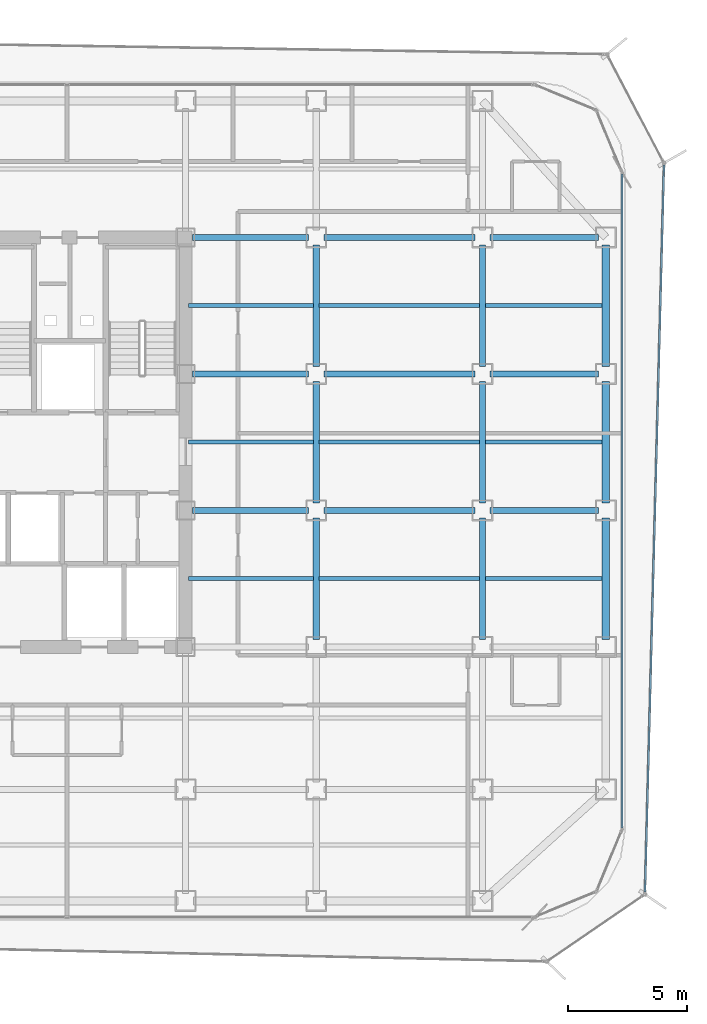
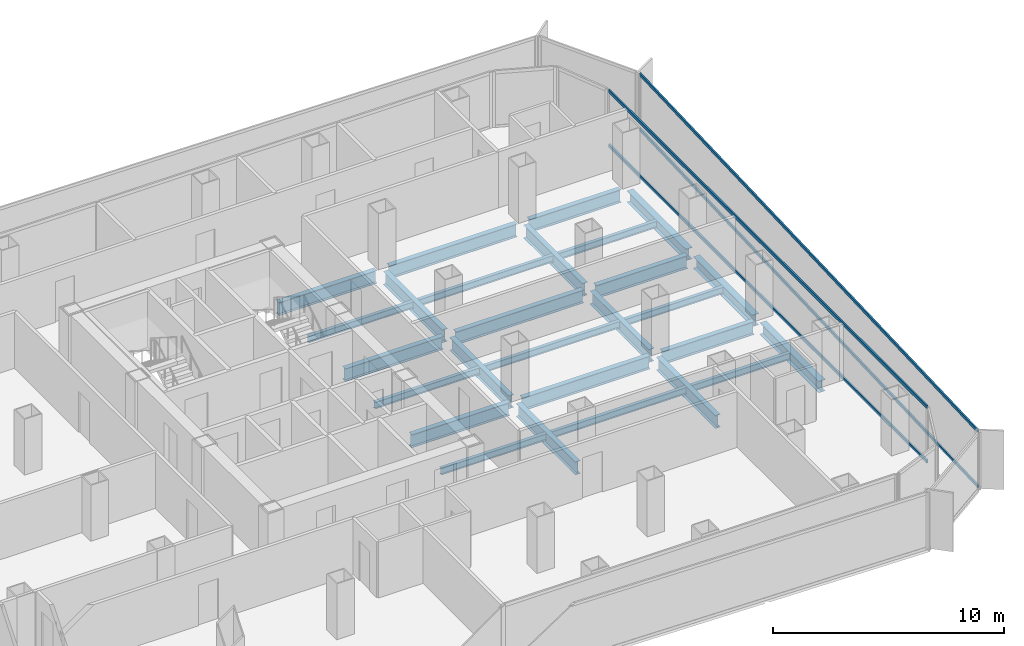
# One storey, part 9 of 21: 27 beams, 4 members, 2 elements without a shape of their own.
"""IFC4 building model written with IfcOpenShell, lengths in metres."""

from ifc_helpers import new_model, si_unit, direction, frame, origin, origin_2d, place, context, subcontext, project, spatial, hollow_rectangle, i_section, extrude, source, transform, mapped, material, layer, layer_set, material_profile, profile_set, type_object, element, aggregate, save


model = new_model("IFC4")

# Units and contexts
model_context = context("Model", 3, precision=1e-05, world=origin(), true_north=direction((0.0, 1.0)))
body_context = subcontext(model_context, "Body", "Model", "MODEL_VIEW")
ifc_project = project(units=[si_unit("LENGTHUNIT", "METRE"), si_unit("AREAUNIT", "SQUARE_METRE"), si_unit("VOLUMEUNIT", "CUBIC_METRE"), si_unit("PLANEANGLEUNIT", "RADIAN"), si_unit("MASSUNIT", "GRAM", prefix="KILO")], contexts=[model_context])

# Site, building, storey
site_placement = place(None, origin())
site = spatial("IfcSite", under=ifc_project, at=site_placement, CompositionType="ELEMENT")
building_placement = place(site_placement, origin())
building = spatial("IfcBuilding", under=site, at=building_placement, Name="Kolveth Station Tower", CompositionType="ELEMENT")
storey_placement = place(building_placement, frame((0.0, 0.0, 134.300048828125)))
storey = spatial("IfcBuildingStorey", under=building, at=storey_placement, Name="L37", CompositionType="ELEMENT", Elevation=134.300048828125)

# Beams
ifc_material_1 = material(Name="Steel S355", Category="steel")
ifc_material_profile_1 = material_profile(ifc_material_1, i_section(OverallWidth=0.323974609375, OverallDepth=0.611083984375, WebThickness=0.0126953125, FlangeThickness=0.01904296875, at=origin_2d()), Name="W610x155")
ifc_profile_set_1 = profile_set([ifc_material_profile_1], Name="Steel S355")
beam_type_1 = type_object("IfcBeamType", Name="Beam_SP2", PredefinedType="SPANDREL", material=ifc_profile_set_1)
shared_shape_1 = source(origin(), body_context, "Body", "SweptSolid", [
    extrude(i_section(OverallWidth=0.323974609375, OverallDepth=0.611083984375, WebThickness=0.0126953125, FlangeThickness=0.01904296875, at=origin_2d()), origin(), (0.0, 0.0, 1.0), 5.10986328125),
])
for number, where, z_axis, x_axis, name in (
    (1, (46.199951171875, 11.820068359375, -0.5556640625), (0.0, 1.0, 0.0), (-1.0, 0.0, 0.0), "L37 Perimeter Spandrel BM-L37-PE-2"),
    (2, (46.199951171875, 17.570068359375, -0.5556640625), (0.0, 1.0, 0.0), (-1.0, 0.0, 0.0), "L37 Perimeter Spandrel BM-L37-PE-3"),
    (3, (46.199951171875, 23.320068359375, -0.5556640625), (0.0, 1.0, 0.0), (-1.0, 0.0, 0.0), "L37 Perimeter Spandrel BM-L37-PE-4"),
):
    element("IfcBeam", number, at=place(storey_placement, frame(where, z_axis=z_axis, x_axis=x_axis)), inside=storey, type_object=beam_type_1, Name=name, PredefinedType="SPANDREL", context=body_context, shape_type="MappedRepresentation", body=[
        mapped(shared_shape_1, transform((0.0, 0.0, 0.0), x_axis=(1.0, 0.0, 0.0), y_axis=(0.0, 1.0, 0.0), z_axis=(0.0, 0.0, 1.0), scale=1.0)),
    ])
ifc_material_profile_2 = material_profile(ifc_material_1, i_section(OverallWidth=0.25390625, OverallDepth=0.68798828125, WebThickness=0.01318359375, FlangeThickness=0.02099609375, at=origin_2d()), Name="W690x152")
ifc_profile_set_2 = profile_set([ifc_material_profile_2], Name="Steel S355")
beam_type_2 = type_object("IfcBeamType", Name="Beam_B4", PredefinedType="BEAM", material=ifc_profile_set_2)
shared_shape_2 = source(origin(), body_context, "Body", "SweptSolid", [
    extrude(i_section(OverallWidth=0.25390625, OverallDepth=0.68798828125, WebThickness=0.01318359375, FlangeThickness=0.02099609375, at=origin_2d()), origin(), (0.0, 0.0, 1.0), 4.559814453125),
])
for number, where, z_axis, x_axis, name in (
    (4, (41.320068359375, 17.25, -0.593994140625), (1.0, 0.0, 0.0), (0.0, 1.0, 0.0), "L37 Primary Girder BM-L37-GY172-7"),
    (5, (41.320068359375, 23.0, -0.593994140625), (1.0, 0.0, 0.0), (0.0, 1.0, 0.0), "L37 Primary Girder BM-L37-GY230-7"),
    (6, (41.320068359375, 28.75, -0.593994140625), (1.0, 0.0, 0.0), (0.0, 1.0, 0.0), "L37 Primary Girder BM-L37-GY287-7"),
):
    element("IfcBeam", number, at=place(storey_placement, frame(where, z_axis=z_axis, x_axis=x_axis)), inside=storey, type_object=beam_type_2, Name=name, PredefinedType="BEAM", context=body_context, shape_type="MappedRepresentation", body=[
        mapped(shared_shape_2, transform((0.0, 0.0, 0.0), x_axis=(1.0, 0.0, 0.0), y_axis=(0.0, 1.0, 0.0), z_axis=(0.0, 0.0, 1.0), scale=1.0)),
    ])
shared_shape_3 = source(origin(), body_context, "Body", "SweptSolid", [
    extrude(i_section(OverallWidth=0.25390625, OverallDepth=0.68798828125, WebThickness=0.01318359375, FlangeThickness=0.02099609375, at=origin_2d()), origin(), (0.0, 0.0, 1.0), 6.35986328125),
])
for number, where, z_axis, x_axis, name in (
    (7, (34.320068359375, 17.25, -0.593994140625), (1.0, 0.0, 0.0), (0.0, 1.0, 0.0), "L37 Primary Girder BM-L37-GY172-6"),
    (8, (34.320068359375, 23.0, -0.593994140625), (1.0, 0.0, 0.0), (0.0, 1.0, 0.0), "L37 Primary Girder BM-L37-GY230-6"),
    (9, (34.320068359375, 28.75, -0.593994140625), (1.0, 0.0, 0.0), (0.0, 1.0, 0.0), "L37 Primary Girder BM-L37-GY287-6"),
):
    element("IfcBeam", number, at=place(storey_placement, frame(where, z_axis=z_axis, x_axis=x_axis)), inside=storey, type_object=beam_type_2, Name=name, PredefinedType="BEAM", context=body_context, shape_type="MappedRepresentation", body=[
        mapped(shared_shape_3, transform((0.0, 0.0, 0.0), x_axis=(1.0, 0.0, 0.0), y_axis=(0.0, 1.0, 0.0), z_axis=(0.0, 0.0, 1.0), scale=1.0)),
    ])
shared_shape_4 = source(origin(), body_context, "Body", "SweptSolid", [
    extrude(i_section(OverallWidth=0.25390625, OverallDepth=0.68798828125, WebThickness=0.01318359375, FlangeThickness=0.02099609375, at=origin_2d()), origin(), (0.0, 0.0, 1.0), 4.89990234375),
])
for number, where, z_axis, x_axis, name in (
    (10, (28.780029296875, 17.25, -0.593994140625), (1.0, 0.0, 0.0), (0.0, 1.0, 0.0), "L37 Primary Girder BM-L37-GY172-5"),
    (11, (28.780029296875, 23.0, -0.593994140625), (1.0, 0.0, 0.0), (0.0, 1.0, 0.0), "L37 Primary Girder BM-L37-GY230-5"),
    (12, (28.780029296875, 28.75, -0.593994140625), (1.0, 0.0, 0.0), (0.0, 1.0, 0.0), "L37 Primary Girder BM-L37-GY287-5"),
):
    element("IfcBeam", number, at=place(storey_placement, frame(where, z_axis=z_axis, x_axis=x_axis)), inside=storey, type_object=beam_type_2, Name=name, PredefinedType="BEAM", context=body_context, shape_type="MappedRepresentation", body=[
        mapped(shared_shape_4, transform((0.0, 0.0, 0.0), x_axis=(1.0, 0.0, 0.0), y_axis=(0.0, 1.0, 0.0), z_axis=(0.0, 0.0, 1.0), scale=1.0)),
    ])
shared_shape_5 = source(origin(), body_context, "Body", "SweptSolid", [
    extrude(i_section(OverallWidth=0.25390625, OverallDepth=0.68798828125, WebThickness=0.01318359375, FlangeThickness=0.02099609375, at=origin_2d()), origin(), (0.0, 0.0, 1.0), 5.10986328125),
])
for number, where, z_axis, x_axis, name in (
    (13, (34.0, 11.820068359375, -0.593994140625), (0.0, 1.0, 0.0), (-1.0, 0.0, 0.0), "L37 Primary Girder BM-L37-GX340-3"),
    (14, (34.0, 17.570068359375, -0.593994140625), (0.0, 1.0, 0.0), (-1.0, 0.0, 0.0), "L37 Primary Girder BM-L37-GX340-4"),
    (15, (34.0, 23.320068359375, -0.593994140625), (0.0, 1.0, 0.0), (-1.0, 0.0, 0.0), "L37 Primary Girder BM-L37-GX340-5"),
    (16, (41.0, 11.820068359375, -0.593994140625), (0.0, 1.0, 0.0), (-1.0, 0.0, 0.0), "L37 Primary Girder BM-L37-GX410-3"),
    (17, (41.0, 17.570068359375, -0.593994140625), (0.0, 1.0, 0.0), (-1.0, 0.0, 0.0), "L37 Primary Girder BM-L37-GX410-4"),
    (18, (41.0, 23.320068359375, -0.593994140625), (0.0, 1.0, 0.0), (-1.0, 0.0, 0.0), "L37 Primary Girder BM-L37-GX410-5"),
):
    element("IfcBeam", number, at=place(storey_placement, frame(where, z_axis=z_axis, x_axis=x_axis)), inside=storey, type_object=beam_type_2, Name=name, PredefinedType="BEAM", context=body_context, shape_type="MappedRepresentation", body=[
        mapped(shared_shape_5, transform((0.0, 0.0, 0.0), x_axis=(1.0, 0.0, 0.0), y_axis=(0.0, 1.0, 0.0), z_axis=(0.0, 0.0, 1.0), scale=1.0)),
    ])
ifc_material_profile_3 = material_profile(ifc_material_1, i_section(OverallWidth=0.1708984375, OverallDepth=0.35205078125, WebThickness=0.0068359375, FlangeThickness=0.009765625, at=origin_2d()), Name="W360x44")
ifc_profile_set_3 = profile_set([ifc_material_profile_3], Name="Steel S355")
beam_type_3 = type_object("IfcBeamType", Name="Beam_J2", PredefinedType="JOIST", material=ifc_profile_set_3)
shared_shape_6 = source(origin(), body_context, "Body", "SweptSolid", [
    extrude(i_section(OverallWidth=0.1708984375, OverallDepth=0.35205078125, WebThickness=0.0068359375, FlangeThickness=0.009765625, at=origin_2d()), origin(), (0.0, 0.0, 1.0), 4.9150390625),
])
for number, where, z_axis, x_axis, name in (
    (19, (41.125, 14.375, -0.426025390625), (1.0, 0.0, 0.0), (0.0, 1.0, 0.0), "L37 Secondary Joist JST-L37-7-3"),
    (20, (41.125, 20.125, -0.426025390625), (1.0, 0.0, 0.0), (0.0, 1.0, 0.0), "L37 Secondary Joist JST-L37-7-4"),
    (21, (41.125, 25.875, -0.426025390625), (1.0, 0.0, 0.0), (0.0, 1.0, 0.0), "L37 Secondary Joist JST-L37-7-5"),
):
    element("IfcBeam", number, at=place(storey_placement, frame(where, z_axis=z_axis, x_axis=x_axis)), inside=storey, type_object=beam_type_3, Name=name, PredefinedType="JOIST", context=body_context, shape_type="MappedRepresentation", body=[
        mapped(shared_shape_6, transform((0.0, 0.0, 0.0), x_axis=(1.0, 0.0, 0.0), y_axis=(0.0, 1.0, 0.0), z_axis=(0.0, 0.0, 1.0), scale=1.0)),
    ])
shared_shape_7 = source(origin(), body_context, "Body", "SweptSolid", [
    extrude(i_section(OverallWidth=0.1708984375, OverallDepth=0.35205078125, WebThickness=0.0068359375, FlangeThickness=0.009765625, at=origin_2d()), origin(), (0.0, 0.0, 1.0), 6.75),
])
for number, where, z_axis, x_axis, name in (
    (22, (34.125, 14.375, -0.426025390625), (1.0, 0.0, 0.0), (0.0, 1.0, 0.0), "L37 Secondary Joist JST-L37-6-3"),
    (23, (34.125, 20.125, -0.426025390625), (1.0, 0.0, 0.0), (0.0, 1.0, 0.0), "L37 Secondary Joist JST-L37-6-4"),
    (24, (34.125, 25.875, -0.426025390625), (1.0, 0.0, 0.0), (0.0, 1.0, 0.0), "L37 Secondary Joist JST-L37-6-5"),
):
    element("IfcBeam", number, at=place(storey_placement, frame(where, z_axis=z_axis, x_axis=x_axis)), inside=storey, type_object=beam_type_3, Name=name, PredefinedType="JOIST", context=body_context, shape_type="MappedRepresentation", body=[
        mapped(shared_shape_7, transform((0.0, 0.0, 0.0), x_axis=(1.0, 0.0, 0.0), y_axis=(0.0, 1.0, 0.0), z_axis=(0.0, 0.0, 1.0), scale=1.0)),
    ])
shared_shape_8 = source(origin(), body_context, "Body", "SweptSolid", [
    extrude(i_section(OverallWidth=0.1708984375, OverallDepth=0.35205078125, WebThickness=0.0068359375, FlangeThickness=0.009765625, at=origin_2d()), origin(), (0.0, 0.0, 1.0), 5.25),
])
for number, where, z_axis, x_axis, name in (
    (25, (28.625, 14.375, -0.426025390625), (1.0, 0.0, 0.0), (0.0, 1.0, 0.0), "L37 Secondary Joist JST-L37-5-3"),
    (26, (28.625, 20.125, -0.426025390625), (1.0, 0.0, 0.0), (0.0, 1.0, 0.0), "L37 Secondary Joist JST-L37-5-4"),
    (27, (28.625, 25.875, -0.426025390625), (1.0, 0.0, 0.0), (0.0, 1.0, 0.0), "L37 Secondary Joist JST-L37-5-5"),
):
    element("IfcBeam", number, at=place(storey_placement, frame(where, z_axis=z_axis, x_axis=x_axis)), inside=storey, type_object=beam_type_3, Name=name, PredefinedType="JOIST", context=body_context, shape_type="MappedRepresentation", body=[
        mapped(shared_shape_8, transform((0.0, 0.0, 0.0), x_axis=(1.0, 0.0, 0.0), y_axis=(0.0, 1.0, 0.0), z_axis=(0.0, 0.0, 1.0), scale=1.0)),
    ])

# Curtain wall, members
ifc_material_2 = material(Name="Aluminium 6063-T6 and low-E dark glass", Category="aluminium")
ifc_layer_1 = layer(ifc_material_2, 0.18994140625)
ifc_layer_set_1 = layer_set([ifc_layer_1], Name="Aluminium 6063-T6 and low-E dark glass")
curtain_wall_type_1 = type_object("IfcCurtainWallType", Name="CurtainWall_CW-Z2", PredefinedType="NOTDEFINED", material=ifc_layer_set_1)
curtain_wall_1_placement = place(storey_placement, origin())
curtain_wall_1 = element("IfcCurtainWall", 28, at=curtain_wall_1_placement, inside=storey, type_object=curtain_wall_type_1, Name="L37 Inner Thermal Curtain Wall 3", PredefinedType="NOTDEFINED")
ifc_material_3 = material(Name="Black anodized aluminium 6063-T6", Category="aluminium")
ifc_material_profile_4 = material_profile(ifc_material_3, hollow_rectangle(XDim=0.080078125, YDim=0.169921875, WallThickness=0.0048828125, at=origin_2d()), Name="ALU-80x170x5")
ifc_profile_set_4 = profile_set([ifc_material_profile_4], Name="Black anodized aluminium 6063-T6")
member_type_1 = type_object("IfcMemberType", Name="Transom_TR2", PredefinedType="USERDEFINED", material=ifc_profile_set_4)
shared_shape_9 = source(origin(), body_context, "Body", "SweptSolid", [
    extrude(hollow_rectangle(XDim=0.080078125, YDim=0.169921875, WallThickness=0.0048828125, at=origin_2d()), origin(), (0.0, 0.0, 1.0), 27.5400390625),
])
member_1_placement = place(storey_placement, frame((46.8798828125, 3.8798828125, 0.0400390625), z_axis=(0.0, 1.0, 0.0), x_axis=(-1.0, 0.0, 0.0)))
member_1 = element("IfcMember", 29, at=member_1_placement, type_object=member_type_1, Name="CW-Z2 transom 1.1", ObjectType="TRANSOM", PredefinedType="USERDEFINED", context=body_context, shape_type="MappedRepresentation", body=[
    mapped(shared_shape_9, transform((0.0, 0.0, 0.0), x_axis=(1.0, 0.0, 0.0), y_axis=(0.0, 1.0, 0.0), z_axis=(0.0, 0.0, 1.0), scale=1.0)),
])
member_2_placement = place(storey_placement, frame((46.8798828125, 3.8798828125, 2.909912109375), z_axis=(0.0, 1.0, 0.0), x_axis=(-1.0, 0.0, 0.0)))
member_2 = element("IfcMember", 30, at=member_2_placement, type_object=member_type_1, Name="CW-Z2 transom 1.2", ObjectType="TRANSOM", PredefinedType="USERDEFINED", context=body_context, shape_type="MappedRepresentation", body=[
    mapped(shared_shape_9, transform((0.0, 0.0, 0.0), x_axis=(1.0, 0.0, 0.0), y_axis=(0.0, 1.0, 0.0), z_axis=(0.0, 0.0, 1.0), scale=1.0)),
])
aggregate(curtain_wall_1, [member_1, member_2])

ifc_material_4 = material(Name="Black anodized aluminium 6063-T6 and dark solar glass", Category="aluminium")
ifc_layer_2 = layer(ifc_material_4, 0.159912109375)
ifc_layer_set_2 = layer_set([ifc_layer_2], Name="Black anodized aluminium 6063-T6 and dark solar glass")
curtain_wall_type_2 = type_object("IfcCurtainWallType", Name="OUTER SKIN CW-OS", PredefinedType="NOTDEFINED", material=ifc_layer_set_2)
curtain_wall_2_placement = place(storey_placement, origin())
curtain_wall_2 = element("IfcCurtainWall", 31, at=curtain_wall_2_placement, inside=storey, type_object=curtain_wall_type_2, Name="L37 Outer Ventilated Skin Curtain Wall 2", PredefinedType="NOTDEFINED")
ifc_material_profile_5 = material_profile(ifc_material_3, hollow_rectangle(XDim=0.080078125, YDim=0.14990234375, WallThickness=0.0048828125, at=origin_2d()), Name="ALU-80x150x5")
ifc_profile_set_5 = profile_set([ifc_material_profile_5], Name="Black anodized aluminium 6063-T6")
member_type_2 = type_object("IfcMemberType", Name="Transom_TR-OS", PredefinedType="USERDEFINED", material=ifc_profile_set_5)
shared_shape_10 = source(origin(), body_context, "Body", "SweptSolid", [
    extrude(hollow_rectangle(XDim=0.080078125, YDim=0.14990234375, WallThickness=0.0048828125, at=origin_2d()), origin(), (0.0, 0.0, 1.0), 30.63818359375),
])
member_3_placement = place(storey_placement, frame((47.847412109375, 1.169677734375, 0.0400390625), z_axis=(0.026120808324, 0.999658793475, 0.0), x_axis=(-0.999658793475, 0.026120808324, 0.0)))
member_3 = element("IfcMember", 32, at=member_3_placement, type_object=member_type_2, Name="CW-OS transom 1.1", ObjectType="TRANSOM", PredefinedType="USERDEFINED", context=body_context, shape_type="MappedRepresentation", body=[
    mapped(shared_shape_10, transform((0.0, 0.0, 0.0), x_axis=(1.0, 0.0, 0.0), y_axis=(0.0, 1.0, 0.0), z_axis=(0.0, 0.0, 1.0), scale=1.0)),
])
member_4_placement = place(storey_placement, frame((47.847412109375, 1.169677734375, 2.949951171875), z_axis=(0.026120808324, 0.999658793475, 0.0), x_axis=(-0.999658793475, 0.026120808324, 0.0)))
member_4 = element("IfcMember", 33, at=member_4_placement, type_object=member_type_2, Name="CW-OS transom 1.2", ObjectType="TRANSOM", PredefinedType="USERDEFINED", context=body_context, shape_type="MappedRepresentation", body=[
    mapped(shared_shape_10, transform((0.0, 0.0, 0.0), x_axis=(1.0, 0.0, 0.0), y_axis=(0.0, 1.0, 0.0), z_axis=(0.0, 0.0, 1.0), scale=1.0)),
])
aggregate(curtain_wall_2, [member_3, member_4])

save(model, "model.ifc")
